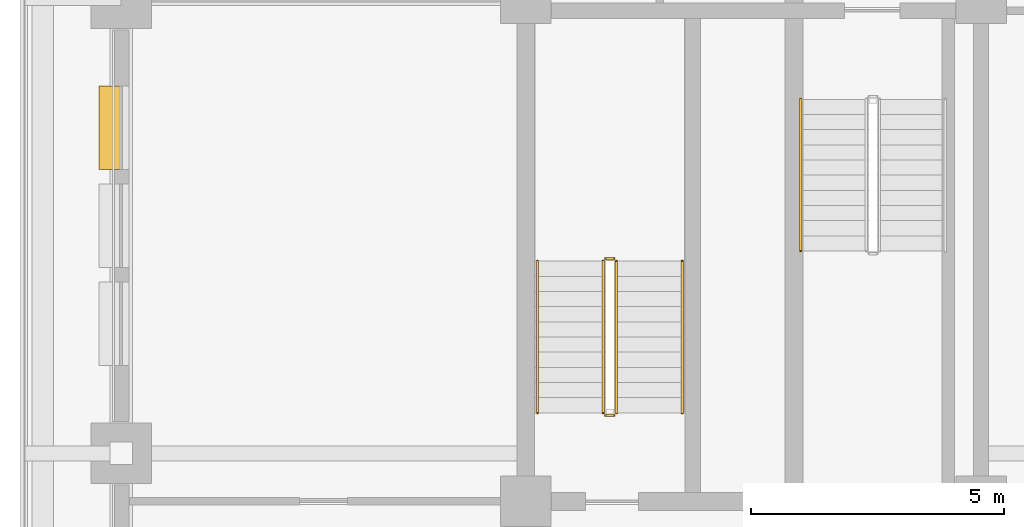
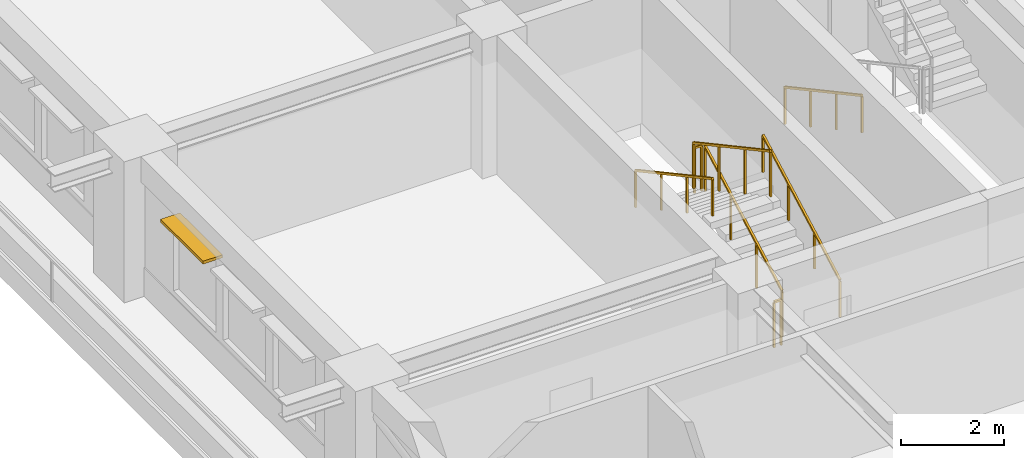
# One storey, part 14 of 20: 7 railings, 1 shading device.
"""IFC4 building model written with IfcOpenShell, lengths in metres."""

from ifc_helpers import new_model, si_unit, direction, frame, frame_2d, origin, origin_2d, place, context, subcontext, project, spatial, rectangle, extrude, material, layer, layer_set, type_object, element, save


model = new_model("IFC4")

# Units and contexts
model_context = context("Model", 3, precision=1e-05, world=origin(), true_north=direction((0.0, 1.0)))
body_context = subcontext(model_context, "Body", "Model", "MODEL_VIEW")
ifc_project = project(units=[si_unit("LENGTHUNIT", "METRE"), si_unit("AREAUNIT", "SQUARE_METRE"), si_unit("VOLUMEUNIT", "CUBIC_METRE"), si_unit("PLANEANGLEUNIT", "RADIAN"), si_unit("MASSUNIT", "GRAM", prefix="KILO")], contexts=[model_context])

# Site, building, storey
site_placement = place(None, origin())
site = spatial("IfcSite", under=ifc_project, at=site_placement, CompositionType="ELEMENT")
building_placement = place(site_placement, origin())
building = spatial("IfcBuilding", under=site, at=building_placement, Name="Zulmaris Gate Convention Tower", CompositionType="ELEMENT")
storey_placement = place(building_placement, frame((0.0, 0.0, 142.769775390625)))
storey = spatial("IfcBuildingStorey", under=building, at=storey_placement, Name="L36", CompositionType="ELEMENT", Elevation=142.769775390625)

# Railings
ifc_material_1 = material(Name="Painted Galvanised Steel", Category="steel")
railing_type_1 = type_object("IfcRailingType", Name="RL-STG-1150", PredefinedType="GUARDRAIL", material=ifc_material_1)
railing_1_placement = place(storey_placement, frame((-18.2099609375, -8.199951171875, 0.162353515625)))
element("IfcRailing", 1, at=railing_1_placement, inside=storey, type_object=railing_type_1, Name="L36 ST-3 stair guard 1", PredefinedType="GUARDRAIL", context=body_context, shape_type="SweptSolid", body=[
    extrude(rectangle(XDim=0.048095703125, YDim=0.048095703125, at=origin_2d()), frame((0.0, 0.0, 1.076171875), z_axis=(0.0, 0.879591569277, 0.475729619907), x_axis=(-1.0, 0.0, 0.0)), (0.0, 0.0, 1.0), 3.41064453125),
    extrude(rectangle(XDim=0.0419921875, YDim=0.0419921875, at=origin_2d()), origin(), (0.0, 0.0, 1.0), 1.052001953125),
    extrude(rectangle(XDim=0.0419921875, YDim=0.0419921875, at=origin_2d()), frame((0.0, 1.0, 0.540771484375)), (0.0, 0.0, 1.0), 1.052001953125),
    extrude(rectangle(XDim=0.0419921875, YDim=0.0419921875, at=origin_2d()), frame((0.0, 2.0, 1.081787109375)), (0.0, 0.0, 1.0), 1.052001953125),
    extrude(rectangle(XDim=0.0419921875, YDim=0.0419921875, at=origin_2d()), frame((0.0, 3.0, 1.62255859375)), (0.0, 0.0, 1.0), 1.052001953125),
])
railing_2_placement = place(storey_placement, frame((-18.260009765625, -5.14990234375, 1.784912109375)))
element("IfcRailing", 2, at=railing_2_placement, inside=storey, type_object=railing_type_1, Name="L36 ST-3 stair guard 2", PredefinedType="GUARDRAIL", context=body_context, shape_type="SweptSolid", body=[
    extrude(rectangle(XDim=0.048095703125, YDim=0.048095703125, at=origin_2d()), frame((0.0, 0.0, 1.076171875), z_axis=(-1.0, 0.0, 0.0), x_axis=(0.0, -1.0, 0.0)), (0.0, 0.0, 1.0), 0.159912109375),
    extrude(rectangle(XDim=0.0419921875, YDim=0.0419921875, at=origin_2d()), origin(), (0.0, 0.0, 1.0), 1.052001953125),
    extrude(rectangle(XDim=0.0419921875, YDim=0.0419921875, at=origin_2d()), frame((-0.159912109375, 0.0, 0.0)), (0.0, 0.0, 1.0), 1.052001953125),
])
railing_3_placement = place(storey_placement, frame((-18.469970703125, -5.199951171875, 1.947265625)))
element("IfcRailing", 3, at=railing_3_placement, inside=storey, type_object=railing_type_1, Name="L36 ST-3 stair guard 3", PredefinedType="GUARDRAIL", context=body_context, shape_type="SweptSolid", body=[
    extrude(rectangle(XDim=0.048095703125, YDim=0.048095703125, at=origin_2d()), frame((0.0, 0.0, 1.076171875), z_axis=(0.0, -0.8795616155, 0.475784998228), x_axis=(1.0, 0.0, 0.0)), (0.0, 0.0, 1.0), 3.410888671875),
    extrude(rectangle(XDim=0.0419921875, YDim=0.0419921875, at=origin_2d()), origin(), (0.0, 0.0, 1.0), 1.052001953125),
    extrude(rectangle(XDim=0.0419921875, YDim=0.0419921875, at=origin_2d()), frame((0.0, -1.0, 0.541015625)), (0.0, 0.0, 1.0), 1.052001953125),
    extrude(rectangle(XDim=0.0419921875, YDim=0.0419921875, at=origin_2d()), frame((0.0, -2.0, 1.081787109375)), (0.0, 0.0, 1.0), 1.052001953125),
    extrude(rectangle(XDim=0.0419921875, YDim=0.0419921875, at=origin_2d()), frame((0.0, -3.0, 1.622802734375)), (0.0, 0.0, 1.0), 1.052001953125),
])
railing_4_placement = place(storey_placement, frame((-18.260009765625, -8.25, 0.0)))
element("IfcRailing", 4, at=railing_4_placement, inside=storey, type_object=railing_type_1, Name="L36 ST-3 stair guard 4", PredefinedType="GUARDRAIL", context=body_context, shape_type="SweptSolid", body=[
    extrude(rectangle(XDim=0.048095703125, YDim=0.048095703125, at=origin_2d()), frame((0.0, 0.0, 1.076171875), z_axis=(-1.0, 0.0, 0.0), x_axis=(0.0, -1.0, 0.0)), (0.0, 0.0, 1.0), 0.159912109375),
    extrude(rectangle(XDim=0.0419921875, YDim=0.0419921875, at=origin_2d()), origin(), (0.0, 0.0, 1.0), 1.052001953125),
    extrude(rectangle(XDim=0.0419921875, YDim=0.0419921875, at=origin_2d()), frame((-0.159912109375, 0.0, 0.0)), (0.0, 0.0, 1.0), 1.052001953125),
])
ifc_material_2 = material(Name="Brushed Stainless Steel", Category="steel")
railing_type_2 = type_object("IfcRailingType", Name="RL-STH-900", PredefinedType="HANDRAIL", material=ifc_material_2)
railing_5_placement = place(storey_placement, frame((-14.570068359375, -2.0, 0.162353515625)))
element("IfcRailing", 5, at=railing_5_placement, inside=storey, type_object=railing_type_2, Name="L36 ST-1 stair handrail 1", PredefinedType="HANDRAIL", context=body_context, shape_type="SweptSolid", body=[
    extrude(rectangle(XDim=0.048095703125, YDim=0.048095703125, at=origin_2d()), frame((0.0, 0.0, 0.8759765625), z_axis=(0.0, -0.879591569277, 0.475729619907), x_axis=(1.0, 0.0, 0.0)), (0.0, 0.0, 1.0), 3.41064453125),
    extrude(rectangle(XDim=0.0419921875, YDim=0.0419921875, at=origin_2d()), origin(), (0.0, 0.0, 1.0), 0.851806640625),
    extrude(rectangle(XDim=0.0419921875, YDim=0.0419921875, at=origin_2d()), frame((0.0, -1.0, 0.540771484375)), (0.0, 0.0, 1.0), 0.851806640625),
    extrude(rectangle(XDim=0.0419921875, YDim=0.0419921875, at=origin_2d()), frame((0.0, -2.0, 1.081787109375)), (0.0, 0.0, 1.0), 0.851806640625),
    extrude(rectangle(XDim=0.0419921875, YDim=0.0419921875, at=origin_2d()), frame((0.0, -3.0, 1.62255859375)), (0.0, 0.0, 1.0), 0.851806640625),
])
railing_6_placement = place(storey_placement, frame((-16.909912109375, -8.199951171875, 0.162353515625)))
element("IfcRailing", 6, at=railing_6_placement, inside=storey, type_object=railing_type_2, Name="L36 ST-3 stair handrail 1", PredefinedType="HANDRAIL", context=body_context, shape_type="SweptSolid", body=[
    extrude(rectangle(XDim=0.048095703125, YDim=0.048095703125, at=origin_2d()), frame((0.0, 0.0, 0.8759765625), z_axis=(0.0, 0.879591569277, 0.475729619907), x_axis=(-1.0, 0.0, 0.0)), (0.0, 0.0, 1.0), 3.41064453125),
    extrude(rectangle(XDim=0.0419921875, YDim=0.0419921875, at=origin_2d()), origin(), (0.0, 0.0, 1.0), 0.851806640625),
    extrude(rectangle(XDim=0.0419921875, YDim=0.0419921875, at=origin_2d()), frame((0.0, 1.0, 0.540771484375)), (0.0, 0.0, 1.0), 0.851806640625),
    extrude(rectangle(XDim=0.0419921875, YDim=0.0419921875, at=origin_2d()), frame((0.0, 2.0, 1.081787109375)), (0.0, 0.0, 1.0), 0.851806640625),
    extrude(rectangle(XDim=0.0419921875, YDim=0.0419921875, at=origin_2d()), frame((0.0, 3.0, 1.62255859375)), (0.0, 0.0, 1.0), 0.851806640625),
])
railing_7_placement = place(storey_placement, frame((-19.77001953125, -5.199951171875, 1.947265625)))
element("IfcRailing", 7, at=railing_7_placement, inside=storey, type_object=railing_type_2, Name="L36 ST-3 stair handrail 2", PredefinedType="HANDRAIL", context=body_context, shape_type="SweptSolid", body=[
    extrude(rectangle(XDim=0.048095703125, YDim=0.048095703125, at=origin_2d()), frame((0.0, 0.0, 0.8759765625), z_axis=(0.0, -0.8795616155, 0.475784998228), x_axis=(1.0, 0.0, 0.0)), (0.0, 0.0, 1.0), 3.410888671875),
    extrude(rectangle(XDim=0.0419921875, YDim=0.0419921875, at=origin_2d()), origin(), (0.0, 0.0, 1.0), 0.851806640625),
    extrude(rectangle(XDim=0.0419921875, YDim=0.0419921875, at=origin_2d()), frame((0.0, -1.0, 0.541015625)), (0.0, 0.0, 1.0), 0.851806640625),
    extrude(rectangle(XDim=0.0419921875, YDim=0.0419921875, at=origin_2d()), frame((0.0, -2.0, 1.081787109375)), (0.0, 0.0, 1.0), 0.851806640625),
    extrude(rectangle(XDim=0.0419921875, YDim=0.0419921875, at=origin_2d()), frame((0.0, -3.0, 1.622802734375)), (0.0, 0.0, 1.0), 0.851806640625),
])

# Shading device
ifc_material_3 = material(Name="Glazed Ceramic Terracotta", Category="masonry")
ifc_layer = layer(ifc_material_3, 0.070068359375, Name="Glazed Ceramic Terracotta")
ifc_layer_set = layer_set([ifc_layer], Name="Glazed Ceramic Terracotta")
shading_device_type = type_object("IfcShadingDeviceType", Name="SHD-SUNSHADE-TC", PredefinedType="AWNING", material=ifc_layer_set)
shading_device_placement = place(storey_placement, frame((-28.219970703125, -1.739990234375, 2.530029296875), z_axis=(0.0, 0.0, 1.0), x_axis=(0.0, -1.0, 0.0)))
element("IfcShadingDevice", 8, at=shading_device_placement, inside=storey, type_object=shading_device_type, Name="SHD-EW-L36-W-1_0-1", PredefinedType="AWNING", context=body_context, shape_type="SweptSolid", body=[
    extrude(rectangle(XDim=1.64990234375, YDim=0.43994140625, at=frame_2d((0.824951171875, 0.0))), origin(), (0.0, 0.0, 1.0), 0.070068359375),
])

save(model, "model.ifc")
